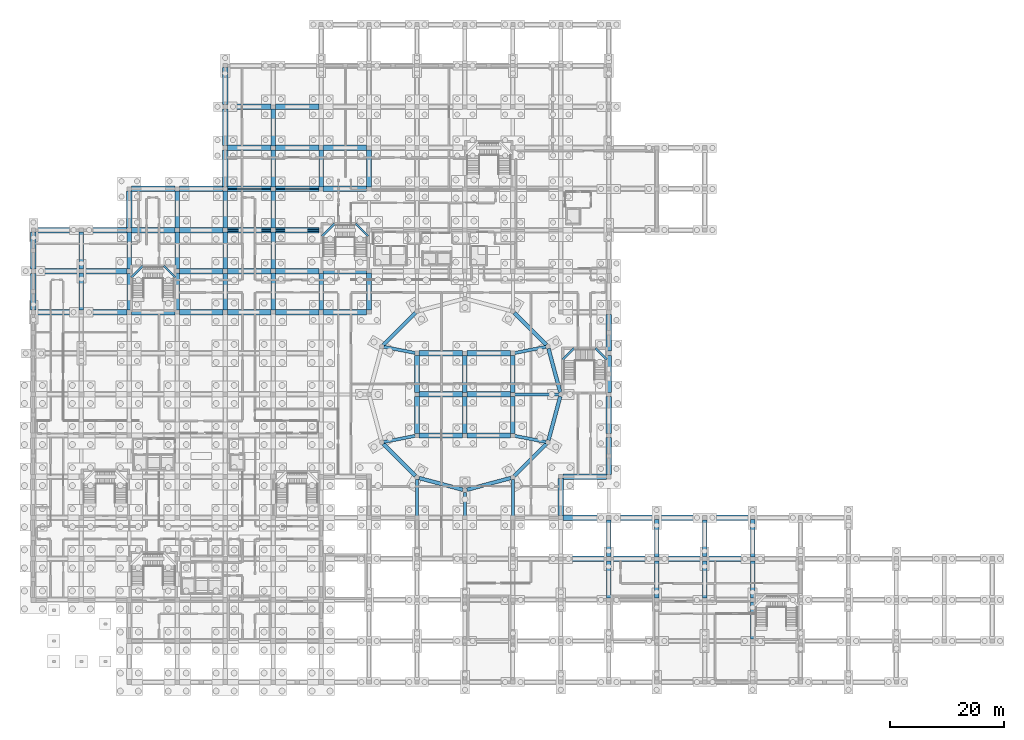
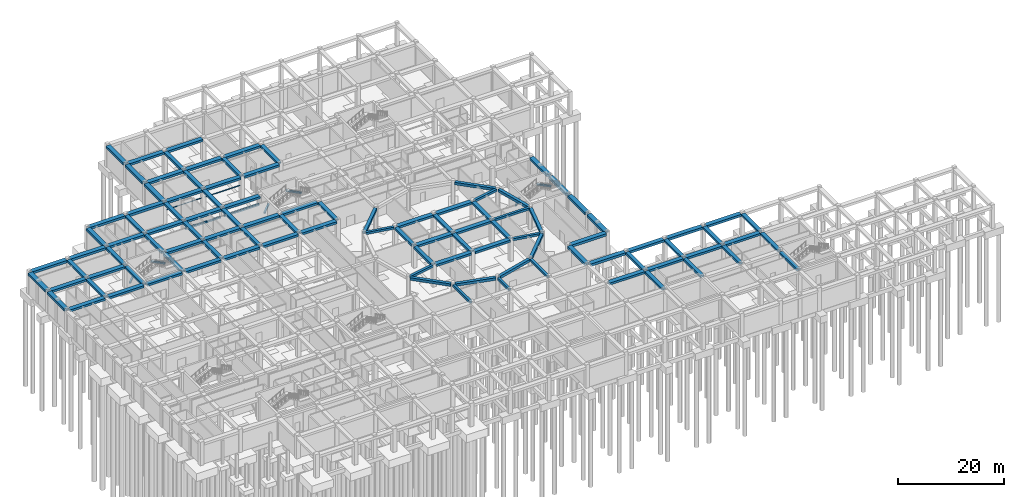
# One storey, part 12 of 32: 115 beams.
"""IFC4 building model written with IfcOpenShell, lengths in metres."""

from ifc_helpers import new_model, si_unit, derived_unit, direction, frame, origin, origin_2d, place, context, subcontext, project, spatial, rectangle, hollow_rectangle, extrude, material, material_profile, profile_set, type_object, element, save


model = new_model("IFC4")

# Units and contexts
model_context = context("Model", 3, precision=1e-05, world=origin(), true_north=direction((0.0, 1.0)))
body_context = subcontext(model_context, "Body", "Model", "MODEL_VIEW")
ifc_project = project(units=[si_unit("LENGTHUNIT", "METRE"), si_unit("AREAUNIT", "SQUARE_METRE"), si_unit("VOLUMEUNIT", "CUBIC_METRE"), si_unit("PLANEANGLEUNIT", "RADIAN"), si_unit("MASSUNIT", "GRAM", prefix="KILO"), derived_unit("THERMALTRANSMITTANCEUNIT", [(si_unit("POWERUNIT", "WATT"), 1), (si_unit("LENGTHUNIT", "METRE"), -2), (si_unit("THERMODYNAMICTEMPERATUREUNIT", "KELVIN"), -1)])], contexts=[model_context])

# Site, building, storey
site_placement = place(None, origin())
site = spatial("IfcSite", under=ifc_project, at=site_placement, CompositionType="ELEMENT")
building_placement = place(site_placement, origin())
building = spatial("IfcBuilding", under=site, at=building_placement, Name="Veybourne Emporium", CompositionType="ELEMENT")
storey_placement = place(building_placement, frame((0.0, 0.0, -5.39990234375)))
storey = spatial("IfcBuildingStorey", under=building, at=storey_placement, Name="B1", CompositionType="ELEMENT", Elevation=-5.39990234375)

# Beams
ifc_material_1 = material(Name="Concrete C32/40", Category="concrete")
ifc_material_profile_1 = material_profile(ifc_material_1, rectangle(XDim=0.35009765625, YDim=0.35009765625, at=origin_2d()), Name="RC 350x350")
ifc_profile_set_1 = profile_set([ifc_material_profile_1], Name="Concrete C32/40")
beam_type_1 = type_object("IfcBeamType", Name="LandingBeam_LB-01", PredefinedType="BEAM", material=ifc_profile_set_1)
for number, where, z_axis, x_axis, name in (
    (1, (50.550048828125, 78.1201171875, 1.4248046875), (0.707106781187, 0.707106781187, 0.0), (-0.707106781187, 0.707106781187, 0.0), "B1 ST-03 landing 1 support beam"),
    (2, (56.469970703125, 80.300048828125, 3.224853515625), (0.707106781187, -0.707106781187, 0.0), (0.707106781187, 0.707106781187, 0.0), "B1 ST-03 landing 2 support beam"),
):
    element("IfcBeam", number, at=place(storey_placement, frame(where, z_axis=z_axis, x_axis=x_axis)), inside=storey, type_object=beam_type_1, Name=name, PredefinedType="BEAM", context=body_context, shape_type="SweptSolid", body=[
        extrude(rectangle(XDim=0.35009765625, YDim=0.35009765625, at=origin_2d()), origin(), (0.0, 0.0, 1.0), 3.0830078125),
    ])
for number, where, z_axis, x_axis, name in (
    (3, (92.75, 56.52001953125, 1.4248046875), (0.707106781187, 0.707106781187, 0.0), (-0.707106781187, 0.707106781187, 0.0), "B1 ST-07 landing 1 support beam"),
    (4, (98.469970703125, 58.5, 3.224853515625), (0.707106781187, -0.707106781187, 0.0), (0.707106781187, 0.707106781187, 0.0), "B1 ST-07 landing 2 support beam"),
    (5, (17.14990234375, 70.919921875, 1.4248046875), (0.707106781187, 0.707106781187, 0.0), (-0.707106781187, 0.707106781187, 0.0), "B1 ST-08 landing 1 support beam"),
    (6, (22.8701171875, 72.89990234375, 3.224853515625), (0.707106781187, -0.707106781187, 0.0), (0.707106781187, 0.707106781187, 0.0), "B1 ST-08 landing 2 support beam"),
):
    element("IfcBeam", number, at=place(storey_placement, frame(where, z_axis=z_axis, x_axis=x_axis)), inside=storey, type_object=beam_type_1, Name=name, PredefinedType="BEAM", context=body_context, shape_type="SweptSolid", body=[
        extrude(rectangle(XDim=0.35009765625, YDim=0.35009765625, at=origin_2d()), origin(), (0.0, 0.0, 1.0), 2.800048828125),
    ])
ifc_material_profile_2 = material_profile(ifc_material_1, rectangle(XDim=0.949951171875, YDim=0.5, at=origin_2d()), Name="RC 950x500")
ifc_profile_set_2 = profile_set([ifc_material_profile_2], Name="Concrete C32/40")
beam_type_2 = type_object("IfcBeamType", Name="RCBeam_BB-01", PredefinedType="BEAM", material=ifc_profile_set_2)
for number, where, z_axis, x_axis, name in (
    (7, (0.375, 64.800048828125, 4.7998046875), (1.0, 0.0, 0.0), (0.0, 1.0, 0.0), "B1 X-grid beam BB-01 (0,9)"),
    (8, (0.375, 72.0, 4.7998046875), (1.0, 0.0, 0.0), (0.0, 1.0, 0.0), "B1 X-grid beam BB-01 (0,10)"),
    (9, (8.800048828125, 64.800048828125, 4.7998046875), (1.0, 0.0, 0.0), (0.0, 1.0, 0.0), "B1 X-grid beam BB-01 (1,9)"),
    (10, (8.800048828125, 72.0, 4.7998046875), (1.0, 0.0, 0.0), (0.0, 1.0, 0.0), "B1 X-grid beam BB-01 (1,10)"),
    (11, (17.175048828125, 64.800048828125, 4.7998046875), (1.0, 0.0, 0.0), (0.0, 1.0, 0.0), "B1 X-grid beam BB-01 (2,9)"),
    (12, (17.175048828125, 79.199951171875, 4.7998046875), (1.0, 0.0, 0.0), (0.0, 1.0, 0.0), "B1 X-grid beam BB-01 (2,11)"),
    (13, (25.60009765625, 64.800048828125, 4.7998046875), (1.0, 0.0, 0.0), (0.0, 1.0, 0.0), "B1 X-grid beam BB-01 (3,9)"),
    (14, (25.60009765625, 72.0, 4.7998046875), (1.0, 0.0, 0.0), (0.0, 1.0, 0.0), "B1 X-grid beam BB-01 (3,10)"),
    (15, (25.60009765625, 79.199951171875, 4.7998046875), (1.0, 0.0, 0.0), (0.0, 1.0, 0.0), "B1 X-grid beam BB-01 (3,11)"),
    (16, (33.97509765625, 64.800048828125, 4.7998046875), (1.0, 0.0, 0.0), (0.0, 1.0, 0.0), "B1 X-grid beam BB-01 (4,9)"),
    (17, (33.97509765625, 72.0, 4.7998046875), (1.0, 0.0, 0.0), (0.0, 1.0, 0.0), "B1 X-grid beam BB-01 (4,10)"),
    (18, (33.97509765625, 79.199951171875, 4.7998046875), (1.0, 0.0, 0.0), (0.0, 1.0, 0.0), "B1 X-grid beam BB-01 (4,11)"),
    (19, (33.97509765625, 86.39990234375, 4.7998046875), (1.0, 0.0, 0.0), (0.0, 1.0, 0.0), "B1 X-grid beam BB-01 (4,12)"),
    (20, (33.97509765625, 93.60009765625, 4.7998046875), (1.0, 0.0, 0.0), (0.0, 1.0, 0.0), "B1 X-grid beam BB-01 (4,13)"),
    (21, (33.97509765625, 100.800048828125, 4.7998046875), (1.0, 0.0, 0.0), (0.0, 1.0, 0.0), "B1 X-grid beam BB-01 (4,14)"),
    (22, (42.39990234375, 64.800048828125, 4.7998046875), (1.0, 0.0, 0.0), (0.0, 1.0, 0.0), "B1 X-grid beam BB-01 (5,9)"),
    (23, (42.39990234375, 72.0, 4.7998046875), (1.0, 0.0, 0.0), (0.0, 1.0, 0.0), "B1 X-grid beam BB-01 (5,10)"),
    (24, (42.39990234375, 79.199951171875, 4.7998046875), (1.0, 0.0, 0.0), (0.0, 1.0, 0.0), "B1 X-grid beam BB-01 (5,11)"),
    (25, (42.39990234375, 86.39990234375, 4.7998046875), (1.0, 0.0, 0.0), (0.0, 1.0, 0.0), "B1 X-grid beam BB-01 (5,12)"),
    (26, (42.39990234375, 93.60009765625, 4.7998046875), (1.0, 0.0, 0.0), (0.0, 1.0, 0.0), "B1 X-grid beam BB-01 (5,13)"),
    (27, (42.39990234375, 100.800048828125, 4.7998046875), (1.0, 0.0, 0.0), (0.0, 1.0, 0.0), "B1 X-grid beam BB-01 (5,14)"),
    (28, (50.77490234375, 64.800048828125, 4.7998046875), (1.0, 0.0, 0.0), (0.0, 1.0, 0.0), "B1 X-grid beam BB-01 (6,9)"),
    (29, (50.77490234375, 72.0, 4.7998046875), (1.0, 0.0, 0.0), (0.0, 1.0, 0.0), "B1 X-grid beam BB-01 (6,10)"),
    (30, (50.77490234375, 86.39990234375, 4.7998046875), (1.0, 0.0, 0.0), (0.0, 1.0, 0.0), "B1 X-grid beam BB-01 (6,12)"),
    (31, (50.77490234375, 93.60009765625, 4.7998046875), (1.0, 0.0, 0.0), (0.0, 1.0, 0.0), "B1 X-grid beam BB-01 (6,13)"),
    (32, (67.574951171875, 43.199951171875, 4.7998046875), (1.0, 0.0, 0.0), (0.0, 1.0, 0.0), "B1 X-grid beam BB-01 (8,6)"),
    (33, (67.574951171875, 50.39990234375, 4.7998046875), (1.0, 0.0, 0.0), (0.0, 1.0, 0.0), "B1 X-grid beam BB-01 (8,7)"),
    (34, (67.574951171875, 57.60009765625, 4.7998046875), (1.0, 0.0, 0.0), (0.0, 1.0, 0.0), "B1 X-grid beam BB-01 (8,8)"),
    (35, (76.0, 43.199951171875, 4.7998046875), (1.0, 0.0, 0.0), (0.0, 1.0, 0.0), "B1 X-grid beam BB-01 (9,6)"),
    (36, (76.0, 50.39990234375, 4.7998046875), (1.0, 0.0, 0.0), (0.0, 1.0, 0.0), "B1 X-grid beam BB-01 (9,7)"),
    (37, (76.0, 57.60009765625, 4.7998046875), (1.0, 0.0, 0.0), (0.0, 1.0, 0.0), "B1 X-grid beam BB-01 (9,8)"),
    (38, (92.800048828125, 21.60009765625, 4.7998046875), (1.0, 0.0, 0.0), (0.0, 1.0, 0.0), "B1 X-grid beam BB-01 (11,3)"),
    (39, (101.175048828125, 21.60009765625, 4.7998046875), (1.0, 0.0, 0.0), (0.0, 1.0, 0.0), "B1 X-grid beam BB-01 (12,3)"),
    (40, (109.60009765625, 21.60009765625, 4.7998046875), (1.0, 0.0, 0.0), (0.0, 1.0, 0.0), "B1 X-grid beam BB-01 (13,3)"),
    (41, (117.97509765625, 21.60009765625, 4.7998046875), (1.0, 0.0, 0.0), (0.0, 1.0, 0.0), "B1 X-grid beam BB-01 (14,3)"),
):
    element("IfcBeam", number, at=place(storey_placement, frame(where, z_axis=z_axis, x_axis=x_axis)), inside=storey, type_object=beam_type_2, Name=name, PredefinedType="BEAM", context=body_context, shape_type="SweptSolid", body=[
        extrude(rectangle(XDim=0.949951171875, YDim=0.5, at=origin_2d()), origin(), (0.0, 0.0, 1.0), 7.625),
    ])
ifc_material_profile_3 = material_profile(ifc_material_1, rectangle(XDim=0.800048828125, YDim=0.5, at=origin_2d()), Name="RC 800x500")
ifc_profile_set_3 = profile_set([ifc_material_profile_3], Name="Concrete C32/40")
beam_type_3 = type_object("IfcBeamType", Name="RCBeam_BB-02", PredefinedType="BEAM", material=ifc_profile_set_3)
for number, where, z_axis, x_axis, name in (
    (42, (8.39990234375, 65.14990234375, 4.7998046875), (0.0, 1.0, 0.0), (-1.0, 0.0, 0.0), "B1 Y-grid beam BB-02 (1,9)"),
    (43, (8.39990234375, 72.35009765625, 4.7998046875), (0.0, 1.0, 0.0), (-1.0, 0.0, 0.0), "B1 Y-grid beam BB-02 (1,10)"),
):
    element("IfcBeam", number, at=place(storey_placement, frame(where, z_axis=z_axis, x_axis=x_axis)), inside=storey, type_object=beam_type_3, Name=name, PredefinedType="BEAM", context=body_context, shape_type="SweptSolid", body=[
        extrude(rectangle(XDim=0.800048828125, YDim=0.5, at=origin_2d()), origin(), (0.0, 0.0, 1.0), 6.5),
    ])
for number, where, z_axis, x_axis, name in (
    (44, (16.800048828125, 65.175048828125, 4.7998046875), (0.0, 1.0, 0.0), (-1.0, 0.0, 0.0), "B1 Y-grid beam BB-02 (2,9)"),
    (45, (16.800048828125, 72.375, 4.7998046875), (0.0, 1.0, 0.0), (-1.0, 0.0, 0.0), "B1 Y-grid beam BB-02 (2,10)"),
):
    element("IfcBeam", number, at=place(storey_placement, frame(where, z_axis=z_axis, x_axis=x_axis)), inside=storey, type_object=beam_type_3, Name=name, PredefinedType="BEAM", context=body_context, shape_type="SweptSolid", body=[
        extrude(rectangle(XDim=0.800048828125, YDim=0.5, at=origin_2d()), origin(), (0.0, 0.0, 1.0), 6.449951171875),
    ])
for number, where, z_axis, x_axis, name in (
    (46, (25.199951171875, 65.14990234375, 4.7998046875), (0.0, 1.0, 0.0), (-1.0, 0.0, 0.0), "B1 Y-grid beam BB-02 (3,9)"),
    (47, (25.199951171875, 72.35009765625, 4.7998046875), (0.0, 1.0, 0.0), (-1.0, 0.0, 0.0), "B1 Y-grid beam BB-02 (3,10)"),
    (48, (25.199951171875, 79.550048828125, 4.7998046875), (0.0, 1.0, 0.0), (-1.0, 0.0, 0.0), "B1 Y-grid beam BB-02 (3,11)"),
):
    element("IfcBeam", number, at=place(storey_placement, frame(where, z_axis=z_axis, x_axis=x_axis)), inside=storey, type_object=beam_type_3, Name=name, PredefinedType="BEAM", context=body_context, shape_type="SweptSolid", body=[
        extrude(rectangle(XDim=0.800048828125, YDim=0.5, at=origin_2d()), origin(), (0.0, 0.0, 1.0), 6.5),
    ])
for number, where, z_axis, x_axis, name in (
    (49, (33.60009765625, 65.175048828125, 4.7998046875), (0.0, 1.0, 0.0), (-1.0, 0.0, 0.0), "B1 Y-grid beam BB-02 (4,9)"),
    (50, (33.60009765625, 72.375, 4.7998046875), (0.0, 1.0, 0.0), (-1.0, 0.0, 0.0), "B1 Y-grid beam BB-02 (4,10)"),
    (51, (33.60009765625, 79.574951171875, 4.7998046875), (0.0, 1.0, 0.0), (-1.0, 0.0, 0.0), "B1 Y-grid beam BB-02 (4,11)"),
):
    element("IfcBeam", number, at=place(storey_placement, frame(where, z_axis=z_axis, x_axis=x_axis)), inside=storey, type_object=beam_type_3, Name=name, PredefinedType="BEAM", context=body_context, shape_type="SweptSolid", body=[
        extrude(rectangle(XDim=0.800048828125, YDim=0.5, at=origin_2d()), origin(), (0.0, 0.0, 1.0), 6.449951171875),
    ])
for number, where, z_axis, x_axis, name in (
    (52, (42.0, 65.14990234375, 4.7998046875), (0.0, 1.0, 0.0), (-1.0, 0.0, 0.0), "B1 Y-grid beam BB-02 (5,9)"),
    (53, (42.0, 72.35009765625, 4.7998046875), (0.0, 1.0, 0.0), (-1.0, 0.0, 0.0), "B1 Y-grid beam BB-02 (5,10)"),
    (54, (42.0, 79.550048828125, 4.7998046875), (0.0, 1.0, 0.0), (-1.0, 0.0, 0.0), "B1 Y-grid beam BB-02 (5,11)"),
    (55, (42.0, 86.75, 4.7998046875), (0.0, 1.0, 0.0), (-1.0, 0.0, 0.0), "B1 Y-grid beam BB-02 (5,12)"),
    (56, (42.0, 93.949951171875, 4.7998046875), (0.0, 1.0, 0.0), (-1.0, 0.0, 0.0), "B1 Y-grid beam BB-02 (5,13)"),
):
    element("IfcBeam", number, at=place(storey_placement, frame(where, z_axis=z_axis, x_axis=x_axis)), inside=storey, type_object=beam_type_3, Name=name, PredefinedType="BEAM", context=body_context, shape_type="SweptSolid", body=[
        extrude(rectangle(XDim=0.800048828125, YDim=0.5, at=origin_2d()), origin(), (0.0, 0.0, 1.0), 6.5),
    ])
beam_1_placement = place(storey_placement, frame((50.39990234375, 65.175048828125, 4.7998046875), z_axis=(0.0, 1.0, 0.0), x_axis=(-1.0, 0.0, 0.0)))
element("IfcBeam", 57, at=beam_1_placement, inside=storey, type_object=beam_type_3, Name="B1 Y-grid beam BB-02 (6,9)", PredefinedType="BEAM", context=body_context, shape_type="SweptSolid", body=[
    extrude(rectangle(XDim=0.800048828125, YDim=0.5, at=origin_2d()), origin(), (0.0, 0.0, 1.0), 6.449951171875),
])
beam_2_placement = place(storey_placement, frame((50.39990234375, 86.77490234375, 4.7998046875), z_axis=(0.0, 1.0, 0.0), x_axis=(-1.0, 0.0, 0.0)))
element("IfcBeam", 58, at=beam_2_placement, inside=storey, type_object=beam_type_3, Name="B1 Y-grid beam BB-02 (6,12)", PredefinedType="BEAM", context=body_context, shape_type="SweptSolid", body=[
    extrude(rectangle(XDim=0.800048828125, YDim=0.5, at=origin_2d()), origin(), (0.0, 0.0, 1.0), 6.4501953125),
])
for number, where, z_axis, x_axis, name in (
    (59, (58.800048828125, 65.14990234375, 4.7998046875), (0.0, 1.0, 0.0), (-1.0, 0.0, 0.0), "B1 Y-grid beam BB-02 (7,9)"),
    (60, (58.800048828125, 86.75, 4.7998046875), (0.0, 1.0, 0.0), (-1.0, 0.0, 0.0), "B1 Y-grid beam BB-02 (7,12)"),
):
    element("IfcBeam", number, at=place(storey_placement, frame(where, z_axis=z_axis, x_axis=x_axis)), inside=storey, type_object=beam_type_3, Name=name, PredefinedType="BEAM", context=body_context, shape_type="SweptSolid", body=[
        extrude(rectangle(XDim=0.800048828125, YDim=0.5, at=origin_2d()), origin(), (0.0, 0.0, 1.0), 6.5),
    ])
beam_3_placement = place(storey_placement, frame((67.199951171875, 43.574951171875, 4.7998046875), z_axis=(0.0, 1.0, 0.0), x_axis=(-1.0, 0.0, 0.0)))
element("IfcBeam", 61, at=beam_3_placement, inside=storey, type_object=beam_type_3, Name="B1 Y-grid beam BB-02 (8,6)", PredefinedType="BEAM", context=body_context, shape_type="SweptSolid", body=[
    extrude(rectangle(XDim=0.800048828125, YDim=0.5, at=origin_2d()), origin(), (0.0, 0.0, 1.0), 6.449951171875),
])
beam_4_placement = place(storey_placement, frame((67.199951171875, 50.77490234375, 4.7998046875), z_axis=(0.0, 1.0, 0.0), x_axis=(-1.0, 0.0, 0.0)))
element("IfcBeam", 62, at=beam_4_placement, inside=storey, type_object=beam_type_3, Name="B1 Y-grid beam BB-02 (8,7)", PredefinedType="BEAM", context=body_context, shape_type="SweptSolid", body=[
    extrude(rectangle(XDim=0.800048828125, YDim=0.5, at=origin_2d()), origin(), (0.0, 0.0, 1.0), 6.4501953125),
])
for number, where, z_axis, x_axis, name in (
    (63, (75.60009765625, 43.550048828125, 4.7998046875), (0.0, 1.0, 0.0), (-1.0, 0.0, 0.0), "B1 Y-grid beam BB-02 (9,6)"),
    (64, (75.60009765625, 50.75, 4.7998046875), (0.0, 1.0, 0.0), (-1.0, 0.0, 0.0), "B1 Y-grid beam BB-02 (9,7)"),
):
    element("IfcBeam", number, at=place(storey_placement, frame(where, z_axis=z_axis, x_axis=x_axis)), inside=storey, type_object=beam_type_3, Name=name, PredefinedType="BEAM", context=body_context, shape_type="SweptSolid", body=[
        extrude(rectangle(XDim=0.800048828125, YDim=0.5, at=origin_2d()), origin(), (0.0, 0.0, 1.0), 6.5),
    ])
beam_5_placement = place(storey_placement, frame((84.0, 43.574951171875, 4.7998046875), z_axis=(0.0, 1.0, 0.0), x_axis=(-1.0, 0.0, 0.0)))
element("IfcBeam", 65, at=beam_5_placement, inside=storey, type_object=beam_type_3, Name="B1 Y-grid beam BB-02 (10,6)", PredefinedType="BEAM", context=body_context, shape_type="SweptSolid", body=[
    extrude(rectangle(XDim=0.800048828125, YDim=0.5, at=origin_2d()), origin(), (0.0, 0.0, 1.0), 6.449951171875),
])
for number, where, z_axis, x_axis, name in (
    (66, (84.0, 50.77490234375, 4.7998046875), (0.0, 1.0, 0.0), (-1.0, 0.0, 0.0), "B1 Y-grid beam BB-02 (10,7)"),
    (67, (100.800048828125, 14.77490234375, 4.7998046875), (0.0, 1.0, 0.0), (-1.0, 0.0, 0.0), "B1 Y-grid beam BB-02 (12,2)"),
):
    element("IfcBeam", number, at=place(storey_placement, frame(where, z_axis=z_axis, x_axis=x_axis)), inside=storey, type_object=beam_type_3, Name=name, PredefinedType="BEAM", context=body_context, shape_type="SweptSolid", body=[
        extrude(rectangle(XDim=0.800048828125, YDim=0.5, at=origin_2d()), origin(), (0.0, 0.0, 1.0), 6.4501953125),
    ])
beam_6_placement = place(storey_placement, frame((100.800048828125, 21.97509765625, 4.7998046875), z_axis=(0.0, 1.0, 0.0), x_axis=(-1.0, 0.0, 0.0)))
element("IfcBeam", 68, at=beam_6_placement, inside=storey, type_object=beam_type_3, Name="B1 Y-grid beam BB-02 (12,3)", PredefinedType="BEAM", context=body_context, shape_type="SweptSolid", body=[
    extrude(rectangle(XDim=0.800048828125, YDim=0.5, at=origin_2d()), origin(), (0.0, 0.0, 1.0), 6.449951171875),
])
for number, where, z_axis, x_axis, name in (
    (69, (109.199951171875, 14.75, 4.7998046875), (0.0, 1.0, 0.0), (-1.0, 0.0, 0.0), "B1 Y-grid beam BB-02 (13,2)"),
    (70, (109.199951171875, 21.949951171875, 4.7998046875), (0.0, 1.0, 0.0), (-1.0, 0.0, 0.0), "B1 Y-grid beam BB-02 (13,3)"),
):
    element("IfcBeam", number, at=place(storey_placement, frame(where, z_axis=z_axis, x_axis=x_axis)), inside=storey, type_object=beam_type_3, Name=name, PredefinedType="BEAM", context=body_context, shape_type="SweptSolid", body=[
        extrude(rectangle(XDim=0.800048828125, YDim=0.5, at=origin_2d()), origin(), (0.0, 0.0, 1.0), 6.5),
    ])
beam_7_placement = place(storey_placement, frame((117.60009765625, 14.77490234375, 4.7998046875), z_axis=(0.0, 1.0, 0.0), x_axis=(-1.0, 0.0, 0.0)))
element("IfcBeam", 71, at=beam_7_placement, inside=storey, type_object=beam_type_3, Name="B1 Y-grid beam BB-02 (14,2)", PredefinedType="BEAM", context=body_context, shape_type="SweptSolid", body=[
    extrude(rectangle(XDim=0.800048828125, YDim=0.5, at=origin_2d()), origin(), (0.0, 0.0, 1.0), 6.4501953125),
])
beam_8_placement = place(storey_placement, frame((117.60009765625, 21.97509765625, 4.7998046875), z_axis=(0.0, 1.0, 0.0), x_axis=(-1.0, 0.0, 0.0)))
element("IfcBeam", 72, at=beam_8_placement, inside=storey, type_object=beam_type_3, Name="B1 Y-grid beam BB-02 (14,3)", PredefinedType="BEAM", context=body_context, shape_type="SweptSolid", body=[
    extrude(rectangle(XDim=0.800048828125, YDim=0.5, at=origin_2d()), origin(), (0.0, 0.0, 1.0), 6.449951171875),
])
for number, where, z_axis, x_axis, name in (
    (73, (126.0, 7.550048828125, 4.7998046875), (0.0, 1.0, 0.0), (-1.0, 0.0, 0.0), "B1 Y-grid beam BB-02 (15,1)"),
    (74, (126.0, 14.75, 4.7998046875), (0.0, 1.0, 0.0), (-1.0, 0.0, 0.0), "B1 Y-grid beam BB-02 (15,2)"),
    (75, (126.0, 21.949951171875, 4.7998046875), (0.0, 1.0, 0.0), (-1.0, 0.0, 0.0), "B1 Y-grid beam BB-02 (15,3)"),
):
    element("IfcBeam", number, at=place(storey_placement, frame(where, z_axis=z_axis, x_axis=x_axis)), inside=storey, type_object=beam_type_3, Name=name, PredefinedType="BEAM", context=body_context, shape_type="SweptSolid", body=[
        extrude(rectangle(XDim=0.800048828125, YDim=0.5, at=origin_2d()), origin(), (0.0, 0.0, 1.0), 6.5),
    ])
ifc_material_profile_4 = material_profile(ifc_material_1, rectangle(XDim=0.949951171875, YDim=0.550048828125, at=origin_2d()), Name="RC 950x550")
ifc_profile_set_4 = profile_set([ifc_material_profile_4], Name="Concrete C32/40")
beam_type_4 = type_object("IfcBeamType", Name="RCBeam_EB-01", PredefinedType="SPANDREL", material=ifc_profile_set_4)
for number, where, z_axis, x_axis, name in (
    (76, (0.375, 79.199951171875, 4.77490234375), (1.0, 0.0, 0.0), (0.0, 1.0, 0.0), "B1 X-grid beam EB-01 (0,11)"),
    (77, (8.800048828125, 79.199951171875, 4.77490234375), (1.0, 0.0, 0.0), (0.0, 1.0, 0.0), "B1 X-grid beam EB-01 (1,11)"),
    (78, (17.175048828125, 86.39990234375, 4.77490234375), (1.0, 0.0, 0.0), (0.0, 1.0, 0.0), "B1 X-grid beam EB-01 (2,12)"),
    (79, (25.60009765625, 86.39990234375, 4.77490234375), (1.0, 0.0, 0.0), (0.0, 1.0, 0.0), "B1 X-grid beam EB-01 (3,12)"),
    (80, (92.800048828125, 28.800048828125, 4.77490234375), (1.0, 0.0, 0.0), (0.0, 1.0, 0.0), "B1 X-grid beam EB-01 (11,4)"),
    (81, (92.800048828125, 36.0, 4.77490234375), (1.0, 0.0, 0.0), (0.0, 1.0, 0.0), "B1 X-grid beam EB-01 (11,5)"),
    (82, (101.175048828125, 28.800048828125, 4.77490234375), (1.0, 0.0, 0.0), (0.0, 1.0, 0.0), "B1 X-grid beam EB-01 (12,4)"),
    (83, (109.60009765625, 28.800048828125, 4.77490234375), (1.0, 0.0, 0.0), (0.0, 1.0, 0.0), "B1 X-grid beam EB-01 (13,4)"),
    (84, (117.97509765625, 28.800048828125, 4.77490234375), (1.0, 0.0, 0.0), (0.0, 1.0, 0.0), "B1 X-grid beam EB-01 (14,4)"),
):
    element("IfcBeam", number, at=place(storey_placement, frame(where, z_axis=z_axis, x_axis=x_axis)), inside=storey, type_object=beam_type_4, Name=name, PredefinedType="SPANDREL", context=body_context, shape_type="SweptSolid", body=[
        extrude(rectangle(XDim=0.949951171875, YDim=0.550048828125, at=origin_2d()), origin(), (0.0, 0.0, 1.0), 7.625),
    ])
for number, where, z_axis, x_axis, name in (
    (85, (0.0, 65.175048828125, 4.77490234375), (0.0, 1.0, 0.0), (-1.0, 0.0, 0.0), "B1 Y-grid beam EB-01 (0,9)"),
    (86, (0.0, 72.375, 4.77490234375), (0.0, 1.0, 0.0), (-1.0, 0.0, 0.0), "B1 Y-grid beam EB-01 (0,10)"),
    (87, (16.800048828125, 79.574951171875, 4.77490234375), (0.0, 1.0, 0.0), (-1.0, 0.0, 0.0), "B1 Y-grid beam EB-01 (2,11)"),
):
    element("IfcBeam", number, at=place(storey_placement, frame(where, z_axis=z_axis, x_axis=x_axis)), inside=storey, type_object=beam_type_4, Name=name, PredefinedType="SPANDREL", context=body_context, shape_type="SweptSolid", body=[
        extrude(rectangle(XDim=0.949951171875, YDim=0.550048828125, at=origin_2d()), origin(), (0.0, 0.0, 1.0), 6.449951171875),
    ])
beam_9_placement = place(storey_placement, frame((33.60009765625, 86.77490234375, 4.77490234375), z_axis=(0.0, 1.0, 0.0), x_axis=(-1.0, 0.0, 0.0)))
element("IfcBeam", 88, at=beam_9_placement, inside=storey, type_object=beam_type_4, Name="B1 Y-grid beam EB-01 (4,12)", PredefinedType="SPANDREL", context=body_context, shape_type="SweptSolid", body=[
    extrude(rectangle(XDim=0.949951171875, YDim=0.550048828125, at=origin_2d()), origin(), (0.0, 0.0, 1.0), 6.4501953125),
])
beam_10_placement = place(storey_placement, frame((33.60009765625, 93.97509765625, 4.77490234375), z_axis=(0.0, 1.0, 0.0), x_axis=(-1.0, 0.0, 0.0)))
element("IfcBeam", 89, at=beam_10_placement, inside=storey, type_object=beam_type_4, Name="B1 Y-grid beam EB-01 (4,13)", PredefinedType="SPANDREL", context=body_context, shape_type="SweptSolid", body=[
    extrude(rectangle(XDim=0.949951171875, YDim=0.550048828125, at=origin_2d()), origin(), (0.0, 0.0, 1.0), 6.449951171875),
])
beam_11_placement = place(storey_placement, frame((33.60009765625, 101.175048828125, 4.77490234375), z_axis=(0.0, 1.0, 0.0), x_axis=(-1.0, 0.0, 0.0)))
element("IfcBeam", 90, at=beam_11_placement, inside=storey, type_object=beam_type_4, Name="B1 Y-grid beam EB-01 (4,14)", PredefinedType="SPANDREL", context=body_context, shape_type="SweptSolid", body=[
    extrude(rectangle(XDim=0.949951171875, YDim=0.550048828125, at=origin_2d()), origin(), (0.0, 0.0, 1.0), 6.46484375),
])
beam_12_placement = place(storey_placement, frame((92.39990234375, 29.14990234375, 4.77490234375), z_axis=(0.0, 1.0, 0.0), x_axis=(-1.0, 0.0, 0.0)))
element("IfcBeam", 91, at=beam_12_placement, inside=storey, type_object=beam_type_4, Name="B1 Y-grid beam EB-01 (11,4)", PredefinedType="SPANDREL", context=body_context, shape_type="SweptSolid", body=[
    extrude(rectangle(XDim=0.949951171875, YDim=0.550048828125, at=origin_2d()), origin(), (0.0, 0.0, 1.0), 6.5),
])
for number, where, z_axis, x_axis, name in (
    (92, (100.800048828125, 36.375, 4.77490234375), (0.0, 1.0, 0.0), (-1.0, 0.0, 0.0), "B1 Y-grid beam EB-01 (12,5)"),
    (93, (100.800048828125, 43.574951171875, 4.77490234375), (0.0, 1.0, 0.0), (-1.0, 0.0, 0.0), "B1 Y-grid beam EB-01 (12,6)"),
):
    element("IfcBeam", number, at=place(storey_placement, frame(where, z_axis=z_axis, x_axis=x_axis)), inside=storey, type_object=beam_type_4, Name=name, PredefinedType="SPANDREL", context=body_context, shape_type="SweptSolid", body=[
        extrude(rectangle(XDim=0.949951171875, YDim=0.550048828125, at=origin_2d()), origin(), (0.0, 0.0, 1.0), 6.449951171875),
    ])
beam_13_placement = place(storey_placement, frame((100.800048828125, 50.77490234375, 4.77490234375), z_axis=(0.0, 1.0, 0.0), x_axis=(-1.0, 0.0, 0.0)))
element("IfcBeam", 94, at=beam_13_placement, inside=storey, type_object=beam_type_4, Name="B1 Y-grid beam EB-01 (12,7)", PredefinedType="SPANDREL", context=body_context, shape_type="SweptSolid", body=[
    extrude(rectangle(XDim=0.949951171875, YDim=0.550048828125, at=origin_2d()), origin(), (0.0, 0.0, 1.0), 6.4501953125),
])
beam_14_placement = place(storey_placement, frame((100.800048828125, 57.97509765625, 4.77490234375), z_axis=(0.0, 1.0, 0.0), x_axis=(-1.0, 0.0, 0.0)))
element("IfcBeam", 95, at=beam_14_placement, inside=storey, type_object=beam_type_4, Name="B1 Y-grid beam EB-01 (12,8)", PredefinedType="SPANDREL", context=body_context, shape_type="SweptSolid", body=[
    extrude(rectangle(XDim=0.949951171875, YDim=0.550048828125, at=origin_2d()), origin(), (0.0, 0.0, 1.0), 6.449951171875),
])
ifc_material_profile_5 = material_profile(ifc_material_1, rectangle(XDim=0.64990234375, YDim=0.60009765625, at=origin_2d()), Name="RC 650x600")
ifc_profile_set_5 = profile_set([ifc_material_profile_5], Name="Concrete C32/40")
beam_type_5 = type_object("IfcBeamType", Name="RCBeam_EB-02", PredefinedType="BEAM", material=ifc_profile_set_5)
for number, where, z_axis, x_axis, name in (
    (96, (92.3017578125, 50.76708984375, 4.75), (-0.258838083332, 0.96592072481, 0.0), (-0.96592072481, -0.258838083332, 0.0), "Atrium ring beam EB-02 B1-01"),
    (97, (89.880615234375, 59.068603515625, 4.75), (-0.707106781187, 0.707106781187, 0.0), (-0.707106781187, -0.707106781187, 0.0), "Atrium ring beam EB-02 B1-02"),
    (98, (66.931396484375, 64.680419921875, 4.75), (-0.707106781187, -0.707106781187, 0.0), (0.707106781187, -0.707106781187, 0.0), "Atrium ring beam EB-02 B1-05"),
    (99, (61.319580078125, 41.731201171875, 4.75), (0.707106781187, -0.707106781187, 0.0), (0.707106781187, 0.707106781187, 0.0), "Atrium ring beam EB-02 B1-08"),
    (100, (67.567138671875, 35.75244140625, 4.75), (0.96592072481, -0.258838083332, 0.0), (0.258838083332, 0.96592072481, 0.0), "Atrium ring beam EB-02 B1-09"),
):
    element("IfcBeam", number, at=place(storey_placement, frame(where, z_axis=z_axis, x_axis=x_axis)), inside=storey, type_object=beam_type_5, Name=name, PredefinedType="BEAM", context=body_context, shape_type="SweptSolid", body=[
        extrude(rectangle(XDim=0.64990234375, YDim=0.60009765625, at=origin_2d()), origin(), (0.0, 0.0, 1.0), 7.936279296875),
    ])
beam_15_placement = place(storey_placement, frame((75.967041015625, 33.6982421875, 4.75), z_axis=(0.965922785737, 0.258830392331, 0.0), x_axis=(-0.258830392331, 0.965922785737, 0.0)))
element("IfcBeam", 101, at=beam_15_placement, inside=storey, type_object=beam_type_5, Name="Atrium ring beam EB-02 B1-10", PredefinedType="BEAM", context=body_context, shape_type="SweptSolid", body=[
    extrude(rectangle(XDim=0.64990234375, YDim=0.60009765625, at=origin_2d()), origin(), (0.0, 0.0, 1.0), 7.9365234375),
])
beam_16_placement = place(storey_placement, frame((84.268798828125, 36.119384765625, 4.75), z_axis=(0.707106781187, 0.707106781187, 0.0), x_axis=(-0.707106781187, 0.707106781187, 0.0)))
element("IfcBeam", 102, at=beam_16_placement, inside=storey, type_object=beam_type_5, Name="Atrium ring beam EB-02 B1-11", PredefinedType="BEAM", context=body_context, shape_type="SweptSolid", body=[
    extrude(rectangle(XDim=0.64990234375, YDim=0.60009765625, at=origin_2d()), origin(), (0.0, 0.0, 1.0), 7.936279296875),
])
beam_17_placement = place(storey_placement, frame((90.24755859375, 42.366943359375, 4.75), z_axis=(0.258830392331, 0.965922785737, 0.0), x_axis=(-0.965922785737, 0.258830392331, 0.0)))
element("IfcBeam", 103, at=beam_17_placement, inside=storey, type_object=beam_type_5, Name="Atrium ring beam EB-02 B1-12", PredefinedType="BEAM", context=body_context, shape_type="SweptSolid", body=[
    extrude(rectangle(XDim=0.64990234375, YDim=0.60009765625, at=origin_2d()), origin(), (0.0, 0.0, 1.0), 7.9365234375),
])
ifc_material_profile_6 = material_profile(ifc_material_1, rectangle(XDim=0.35009765625, YDim=0.35009765625, at=origin_2d()), Name="RC 350x350")
ifc_profile_set_6 = profile_set([ifc_material_profile_6], Name="Concrete C32/40")
beam_type_6 = type_object("IfcBeamType", Name="RCBeam_LN-01", PredefinedType="LINTEL", material=ifc_profile_set_6)
for number, where, z_axis, x_axis, name in (
    (104, (33.93505859375, 79.199951171875, 2.949951171875), (1.0, 0.0, 0.0), (0.0, 1.0, 0.0), "Basement stockroom portal RC lintel 01"),
    (105, (42.360107421875, 79.199951171875, 2.949951171875), (1.0, 0.0, 0.0), (0.0, 1.0, 0.0), "Basement stockroom portal RC lintel 02"),
):
    element("IfcBeam", number, at=place(storey_placement, frame(where, z_axis=z_axis, x_axis=x_axis)), inside=storey, type_object=beam_type_6, Name=name, PredefinedType="LINTEL", context=body_context, shape_type="SweptSolid", body=[
        extrude(rectangle(XDim=0.35009765625, YDim=0.35009765625, at=origin_2d()), origin(), (0.0, 0.0, 1.0), 7.704833984375),
    ])
ifc_material_profile_7 = material_profile(ifc_material_1, rectangle(XDim=0.550048828125, YDim=0.5, at=origin_2d()), Name="RC 550x500")
ifc_profile_set_7 = profile_set([ifc_material_profile_7], Name="Concrete C32/40")
beam_type_7 = type_object("IfcBeamType", Name="RCBeam_TB-01", PredefinedType="BEAM", material=ifc_profile_set_7)
beam_18_placement = place(storey_placement, frame((92.06005859375, 50.39990234375, 4.7998046875), z_axis=(-1.0, 0.0, 0.0), x_axis=(0.0, -1.0, 0.0)))
element("IfcBeam", 106, at=beam_18_placement, inside=storey, type_object=beam_type_7, Name="Atrium radial tie beam B1-01", PredefinedType="BEAM", context=body_context, shape_type="SweptSolid", body=[
    extrude(rectangle(XDim=0.550048828125, YDim=0.5, at=origin_2d()), origin(), (0.0, 0.0, 1.0), 7.7451171875),
])
for number, where, z_axis, x_axis, name in (
    (107, (89.8154296875, 58.73486328125, 4.7998046875), (-0.981488796427, -0.191519561633, 0.0), (0.191519561633, -0.981488796427, 0.0), "Atrium radial tie beam B1-02"),
    (108, (61.384521484375, 58.73486328125, 4.7998046875), (0.981488796427, -0.191519561633, 0.0), (0.191519561633, 0.981488796427, 0.0), "Atrium radial tie beam B1-06"),
    (109, (61.384521484375, 42.065185546875, 4.7998046875), (0.981488796427, 0.191519561633, 0.0), (-0.191519561633, 0.981488796427, 0.0), "Atrium radial tie beam B1-08"),
):
    element("IfcBeam", number, at=place(storey_placement, frame(where, z_axis=z_axis, x_axis=x_axis)), inside=storey, type_object=beam_type_7, Name=name, PredefinedType="BEAM", context=body_context, shape_type="SweptSolid", body=[
        extrude(rectangle(XDim=0.550048828125, YDim=0.5, at=origin_2d()), origin(), (0.0, 0.0, 1.0), 5.610107421875),
    ])
beam_19_placement = place(storey_placement, frame((67.199951171875, 35.5107421875, 4.7998046875), z_axis=(0.0, -1.0, 0.0), x_axis=(1.0, 0.0, 0.0)))
element("IfcBeam", 110, at=beam_19_placement, inside=storey, type_object=beam_type_7, Name="Atrium radial tie beam B1-09", PredefinedType="BEAM", context=body_context, shape_type="SweptSolid", body=[
    extrude(rectangle(XDim=0.550048828125, YDim=0.5, at=origin_2d()), origin(), (0.0, 0.0, 1.0), 6.395751953125),
])
beam_20_placement = place(storey_placement, frame((75.60009765625, 33.260009765625, 4.7998046875), z_axis=(0.0, -1.0, 0.0), x_axis=(1.0, 0.0, 0.0)))
element("IfcBeam", 111, at=beam_20_placement, inside=storey, type_object=beam_type_7, Name="Atrium radial tie beam B1-10", PredefinedType="BEAM", context=body_context, shape_type="SweptSolid", body=[
    extrude(rectangle(XDim=0.550048828125, YDim=0.5, at=origin_2d()), origin(), (0.0, 0.0, 1.0), 4.169921875),
])
beam_21_placement = place(storey_placement, frame((84.0, 35.5107421875, 4.7998046875), z_axis=(0.0, -1.0, 0.0), x_axis=(1.0, 0.0, 0.0)))
element("IfcBeam", 112, at=beam_21_placement, inside=storey, type_object=beam_type_7, Name="Atrium radial tie beam B1-11", PredefinedType="BEAM", context=body_context, shape_type="SweptSolid", body=[
    extrude(rectangle(XDim=0.550048828125, YDim=0.5, at=origin_2d()), origin(), (0.0, 0.0, 1.0), 6.395751953125),
])
beam_22_placement = place(storey_placement, frame((89.8154296875, 42.065185546875, 4.7998046875), z_axis=(-0.981488796427, 0.191519561633, 0.0), x_axis=(-0.191519561633, -0.981488796427, 0.0)))
element("IfcBeam", 113, at=beam_22_placement, inside=storey, type_object=beam_type_7, Name="Atrium radial tie beam B1-12", PredefinedType="BEAM", context=body_context, shape_type="SweptSolid", body=[
    extrude(rectangle(XDim=0.550048828125, YDim=0.5, at=origin_2d()), origin(), (0.0, 0.0, 1.0), 5.610107421875),
])
ifc_material_2 = material(Name="Steel S355", Category="steel")
ifc_material_profile_8 = material_profile(ifc_material_2, hollow_rectangle(XDim=0.10009765625, YDim=0.199951171875, WallThickness=0.008056640625, InnerFilletRadius=0.011962890625, OuterFilletRadius=0.02001953125, at=origin_2d()), Name="RHS 200x100x8")
ifc_profile_set_8 = profile_set([ifc_material_profile_8], Name="Steel S355")
beam_type_8 = type_object("IfcBeamType", Name="SteelBeam_SL-01", PredefinedType="LINTEL", material=ifc_profile_set_8)
for number, where, z_axis, x_axis, name in (
    (114, (33.93505859375, 86.39990234375, 2.949951171875), (1.0, 0.0, 0.0), (0.0, 1.0, 0.0), "Basement goods bay steel lintel 01"),
    (115, (42.360107421875, 86.39990234375, 2.949951171875), (1.0, 0.0, 0.0), (0.0, 1.0, 0.0), "Basement goods bay steel lintel 02"),
):
    element("IfcBeam", number, at=place(storey_placement, frame(where, z_axis=z_axis, x_axis=x_axis)), inside=storey, type_object=beam_type_8, Name=name, PredefinedType="LINTEL", context=body_context, shape_type="SweptSolid", body=[
        extrude(hollow_rectangle(XDim=0.10009765625, YDim=0.199951171875, WallThickness=0.008056640625, InnerFilletRadius=0.011962890625, OuterFilletRadius=0.02001953125, at=origin_2d()), origin(), (0.0, 0.0, 1.0), 7.704833984375),
    ])

save(model, "model.ifc")
